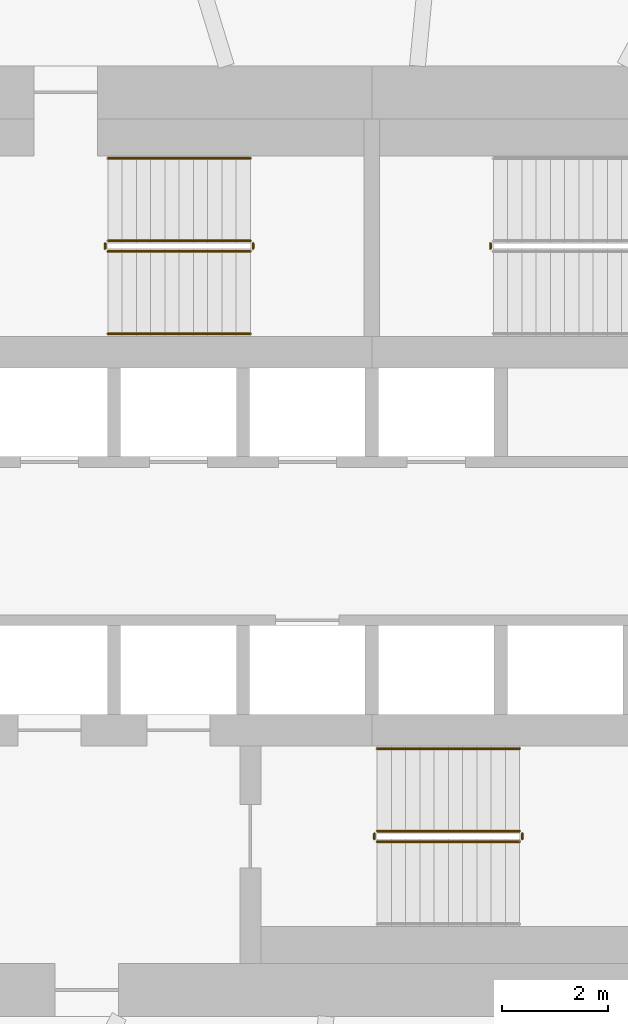
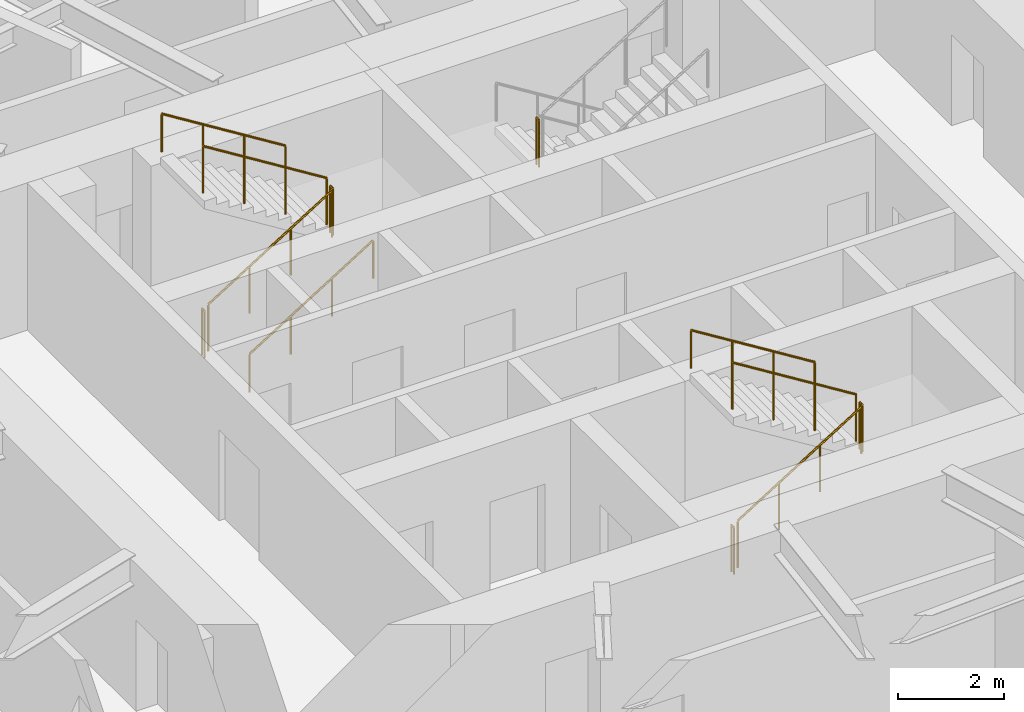
# One storey, part 13 of 16: 12 railings.
"""IFC4 building model written with IfcOpenShell, lengths in metres."""

from ifc_helpers import new_model, si_unit, direction, frame, origin, origin_2d, place, context, subcontext, project, spatial, circle, extrude, material, type_object, element, save


model = new_model("IFC4")

# Units and contexts
model_context = context("Model", 3, precision=1e-05, world=origin(), true_north=direction((0.0, 1.0)))
body_context = subcontext(model_context, "Body", "Model", "MODEL_VIEW")
ifc_project = project(units=[si_unit("LENGTHUNIT", "METRE"), si_unit("AREAUNIT", "SQUARE_METRE"), si_unit("VOLUMEUNIT", "CUBIC_METRE"), si_unit("PLANEANGLEUNIT", "RADIAN"), si_unit("MASSUNIT", "GRAM", prefix="KILO")], contexts=[model_context])

# Site, building, storey
site_placement = place(None, origin())
site = spatial("IfcSite", under=ifc_project, at=site_placement, CompositionType="ELEMENT")
building_placement = place(site_placement, origin())
building = spatial("IfcBuilding", under=site, at=building_placement, Name="Vermilion Reach Broadcast Tower", CompositionType="ELEMENT")
storey_placement = place(building_placement, frame((0.0, 0.0, 50.800048828125)))
storey = spatial("IfcBuildingStorey", under=building, at=storey_placement, Name="L09", CompositionType="ELEMENT", Elevation=50.800048828125)

# Railings
ifc_material_1 = material(Name="Stainless steel", Category="steel")
railing_type_1 = type_object("IfcRailingType", Name="Stair guard 1100", PredefinedType="GUARDRAIL", material=ifc_material_1)
railing_1_placement = place(storey_placement, frame((-11.0, 5.489990234375, 0.168212890625)))
element("IfcRailing", 1, at=railing_1_placement, inside=storey, type_object=railing_type_1, Name="L09 ST1 stair guard 1", PredefinedType="GUARDRAIL", context=body_context, shape_type="SweptSolid", body=[
    extrude(circle(Radius=0.02392578125, at=origin_2d()), frame((0.0, 0.0, 1.076171875), z_axis=(0.84882087487, 0.0, 0.528680548522), x_axis=(0.0, 1.0, 0.0)), (0.0, 0.0, 1.0), 3.180908203125),
    extrude(circle(Radius=0.02099609375, at=origin_2d()), origin(), (0.0, 0.0, 1.0), 1.052001953125),
    extrude(circle(Radius=0.02099609375, at=origin_2d()), frame((0.89990234375, 0.0, 0.560546875)), (0.0, 0.0, 1.0), 1.052001953125),
    extrude(circle(Radius=0.02099609375, at=origin_2d()), frame((1.800048828125, 0.0, 1.12109375)), (0.0, 0.0, 1.0), 1.052001953125),
    extrude(circle(Radius=0.02099609375, at=origin_2d()), frame((2.699951171875, 0.0, 1.681640625)), (0.0, 0.0, 1.0), 1.052001953125),
])
railing_2_placement = place(storey_placement, frame((-8.25, 5.5400390625, 1.849853515625)))
element("IfcRailing", 2, at=railing_2_placement, inside=storey, type_object=railing_type_1, Name="L09 ST1 stair guard 2", PredefinedType="GUARDRAIL", context=body_context, shape_type="SweptSolid", body=[
    extrude(circle(Radius=0.02392578125, at=origin_2d()), frame((0.0, 0.0, 1.076171875), z_axis=(0.0, 1.0, 0.0), x_axis=(-1.0, 0.0, 0.0)), (0.0, 0.0, 1.0), 0.099853515625),
    extrude(circle(Radius=0.02099609375, at=origin_2d()), origin(), (0.0, 0.0, 1.0), 1.052001953125),
    extrude(circle(Radius=0.02099609375, at=origin_2d()), frame((0.0, 0.099853515625, 0.0)), (0.0, 0.0, 1.0), 1.052001953125),
])
railing_3_placement = place(storey_placement, frame((-8.300048828125, 5.68994140625, 2.01806640625)))
element("IfcRailing", 3, at=railing_3_placement, inside=storey, type_object=railing_type_1, Name="L09 ST1 stair guard 3", PredefinedType="GUARDRAIL", context=body_context, shape_type="SweptSolid", body=[
    extrude(circle(Radius=0.02392578125, at=origin_2d()), frame((0.0, 0.0, 1.076171875), z_axis=(-0.848786430784, 0.0, 0.528735846068), x_axis=(0.0, -1.0, 0.0)), (0.0, 0.0, 1.0), 3.180908203125),
    extrude(circle(Radius=0.02099609375, at=origin_2d()), origin(), (0.0, 0.0, 1.0), 1.052001953125),
    extrude(circle(Radius=0.02099609375, at=origin_2d()), frame((-0.89990234375, 0.0, 0.560546875)), (0.0, 0.0, 1.0), 1.052001953125),
    extrude(circle(Radius=0.02099609375, at=origin_2d()), frame((-1.800048828125, 0.0, 1.121337890625)), (0.0, 0.0, 1.0), 1.052001953125),
    extrude(circle(Radius=0.02099609375, at=origin_2d()), frame((-2.699951171875, 0.0, 1.681884765625)), (0.0, 0.0, 1.0), 1.052001953125),
])
railing_4_placement = place(storey_placement, frame((-11.050048828125, 5.5400390625, 0.0)))
element("IfcRailing", 4, at=railing_4_placement, inside=storey, type_object=railing_type_1, Name="L09 ST1 stair guard 4", PredefinedType="GUARDRAIL", context=body_context, shape_type="SweptSolid", body=[
    extrude(circle(Radius=0.02392578125, at=origin_2d()), frame((0.0, 0.0, 1.076171875), z_axis=(0.0, 1.0, 0.0), x_axis=(-1.0, 0.0, 0.0)), (0.0, 0.0, 1.0), 0.099853515625),
    extrude(circle(Radius=0.02099609375, at=origin_2d()), origin(), (0.0, 0.0, 1.0), 1.052001953125),
    extrude(circle(Radius=0.02099609375, at=origin_2d()), frame((0.0, 0.099853515625, 0.0)), (0.0, 0.0, 1.0), 1.052001953125),
])
railing_5_placement = place(storey_placement, frame((-3.75, 5.639892578125, 1.849853515625)))
element("IfcRailing", 5, at=railing_5_placement, inside=storey, type_object=railing_type_1, Name="L09 ST2 stair guard 2", PredefinedType="GUARDRAIL", context=body_context, shape_type="SweptSolid", body=[
    extrude(circle(Radius=0.02392578125, at=origin_2d()), frame((0.0, 0.0, 1.076171875), z_axis=(0.0, -1.0, 0.0), x_axis=(1.0, 0.0, 0.0)), (0.0, 0.0, 1.0), 0.099853515625),
    extrude(circle(Radius=0.02099609375, at=origin_2d()), origin(), (0.0, 0.0, 1.0), 1.052001953125),
    extrude(circle(Radius=0.02099609375, at=origin_2d()), frame((0.0, -0.099853515625, 0.0)), (0.0, 0.0, 1.0), 1.052001953125),
])
railing_6_placement = place(storey_placement, frame((-5.89990234375, -5.68994140625, 0.168212890625)))
element("IfcRailing", 6, at=railing_6_placement, inside=storey, type_object=railing_type_1, Name="L09 ST3 stair guard 1", PredefinedType="GUARDRAIL", context=body_context, shape_type="SweptSolid", body=[
    extrude(circle(Radius=0.02392578125, at=origin_2d()), frame((0.0, 0.0, 1.076171875), z_axis=(0.84882087487, 0.0, 0.528680548522), x_axis=(0.0, 1.0, 0.0)), (0.0, 0.0, 1.0), 3.180908203125),
    extrude(circle(Radius=0.02099609375, at=origin_2d()), origin(), (0.0, 0.0, 1.0), 1.052001953125),
    extrude(circle(Radius=0.02099609375, at=origin_2d()), frame((0.89990234375, 0.0, 0.560546875)), (0.0, 0.0, 1.0), 1.052001953125),
    extrude(circle(Radius=0.02099609375, at=origin_2d()), frame((1.800048828125, 0.0, 1.12109375)), (0.0, 0.0, 1.0), 1.052001953125),
    extrude(circle(Radius=0.02099609375, at=origin_2d()), frame((2.699951171875, 0.0, 1.681640625)), (0.0, 0.0, 1.0), 1.052001953125),
])
railing_7_placement = place(storey_placement, frame((-3.14990234375, -5.639892578125, 1.849853515625)))
element("IfcRailing", 7, at=railing_7_placement, inside=storey, type_object=railing_type_1, Name="L09 ST3 stair guard 2", PredefinedType="GUARDRAIL", context=body_context, shape_type="SweptSolid", body=[
    extrude(circle(Radius=0.02392578125, at=origin_2d()), frame((0.0, 0.0, 1.076171875), z_axis=(0.0, 1.0, 0.0), x_axis=(-1.0, 0.0, 0.0)), (0.0, 0.0, 1.0), 0.099853515625),
    extrude(circle(Radius=0.02099609375, at=origin_2d()), origin(), (0.0, 0.0, 1.0), 1.052001953125),
    extrude(circle(Radius=0.02099609375, at=origin_2d()), frame((0.0, 0.099853515625, 0.0)), (0.0, 0.0, 1.0), 1.052001953125),
])
railing_8_placement = place(storey_placement, frame((-3.199951171875, -5.489990234375, 2.01806640625)))
element("IfcRailing", 8, at=railing_8_placement, inside=storey, type_object=railing_type_1, Name="L09 ST3 stair guard 3", PredefinedType="GUARDRAIL", context=body_context, shape_type="SweptSolid", body=[
    extrude(circle(Radius=0.02392578125, at=origin_2d()), frame((0.0, 0.0, 1.076171875), z_axis=(-0.848786430784, 0.0, 0.528735846068), x_axis=(0.0, -1.0, 0.0)), (0.0, 0.0, 1.0), 3.180908203125),
    extrude(circle(Radius=0.02099609375, at=origin_2d()), origin(), (0.0, 0.0, 1.0), 1.052001953125),
    extrude(circle(Radius=0.02099609375, at=origin_2d()), frame((-0.89990234375, 0.0, 0.560546875)), (0.0, 0.0, 1.0), 1.052001953125),
    extrude(circle(Radius=0.02099609375, at=origin_2d()), frame((-1.800048828125, 0.0, 1.121337890625)), (0.0, 0.0, 1.0), 1.052001953125),
    extrude(circle(Radius=0.02099609375, at=origin_2d()), frame((-2.699951171875, 0.0, 1.681884765625)), (0.0, 0.0, 1.0), 1.052001953125),
])
railing_9_placement = place(storey_placement, frame((-5.949951171875, -5.639892578125, 0.0)))
element("IfcRailing", 9, at=railing_9_placement, inside=storey, type_object=railing_type_1, Name="L09 ST3 stair guard 4", PredefinedType="GUARDRAIL", context=body_context, shape_type="SweptSolid", body=[
    extrude(circle(Radius=0.02392578125, at=origin_2d()), frame((0.0, 0.0, 1.076171875), z_axis=(0.0, 1.0, 0.0), x_axis=(-1.0, 0.0, 0.0)), (0.0, 0.0, 1.0), 0.099853515625),
    extrude(circle(Radius=0.02099609375, at=origin_2d()), origin(), (0.0, 0.0, 1.0), 1.052001953125),
    extrude(circle(Radius=0.02099609375, at=origin_2d()), frame((0.0, 0.099853515625, 0.0)), (0.0, 0.0, 1.0), 1.052001953125),
])
ifc_material_2 = material(Name="Stainless steel", Category="steel")
railing_type_2 = type_object("IfcRailingType", Name="Stair handrail", PredefinedType="HANDRAIL", material=ifc_material_2)
railing_10_placement = place(storey_placement, frame((-11.0, 3.929931640625, 0.168212890625)))
element("IfcRailing", 10, at=railing_10_placement, inside=storey, type_object=railing_type_2, Name="L09 ST1 stair handrail 1", PredefinedType="HANDRAIL", context=body_context, shape_type="SweptSolid", body=[
    extrude(circle(Radius=0.02392578125, at=origin_2d()), frame((0.0, 0.0, 0.8759765625), z_axis=(0.84882087487, 0.0, 0.528680548522), x_axis=(0.0, 1.0, 0.0)), (0.0, 0.0, 1.0), 3.180908203125),
    extrude(circle(Radius=0.02099609375, at=origin_2d()), origin(), (0.0, 0.0, 1.0), 0.851806640625),
    extrude(circle(Radius=0.02099609375, at=origin_2d()), frame((0.89990234375, 0.0, 0.560546875)), (0.0, 0.0, 1.0), 0.851806640625),
    extrude(circle(Radius=0.02099609375, at=origin_2d()), frame((1.800048828125, 0.0, 1.12109375)), (0.0, 0.0, 1.0), 0.851806640625),
    extrude(circle(Radius=0.02099609375, at=origin_2d()), frame((2.699951171875, 0.0, 1.681640625)), (0.0, 0.0, 1.0), 0.851806640625),
])
for number, where, name in (
    (11, (-8.300048828125, 7.25, 2.01806640625), "L09 ST1 stair handrail 2"),
    (12, (-3.199951171875, -3.929931640625, 2.01806640625), "L09 ST3 stair handrail 2"),
):
    element("IfcRailing", number, at=place(storey_placement, frame(where)), inside=storey, type_object=railing_type_2, Name=name, PredefinedType="HANDRAIL", context=body_context, shape_type="SweptSolid", body=[
        extrude(circle(Radius=0.02392578125, at=origin_2d()), frame((0.0, 0.0, 0.8759765625), z_axis=(-0.848786430784, 0.0, 0.528735846068), x_axis=(0.0, -1.0, 0.0)), (0.0, 0.0, 1.0), 3.180908203125),
        extrude(circle(Radius=0.02099609375, at=origin_2d()), origin(), (0.0, 0.0, 1.0), 0.851806640625),
        extrude(circle(Radius=0.02099609375, at=origin_2d()), frame((-0.89990234375, 0.0, 0.560546875)), (0.0, 0.0, 1.0), 0.851806640625),
        extrude(circle(Radius=0.02099609375, at=origin_2d()), frame((-1.800048828125, 0.0, 1.121337890625)), (0.0, 0.0, 1.0), 0.851806640625),
        extrude(circle(Radius=0.02099609375, at=origin_2d()), frame((-2.699951171875, 0.0, 1.681884765625)), (0.0, 0.0, 1.0), 0.851806640625),
    ])

save(model, "model.ifc")
